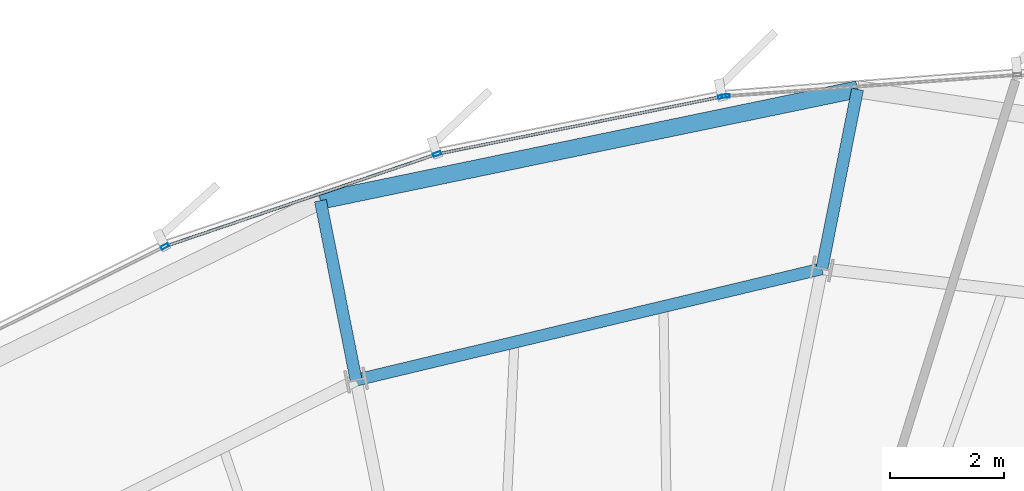
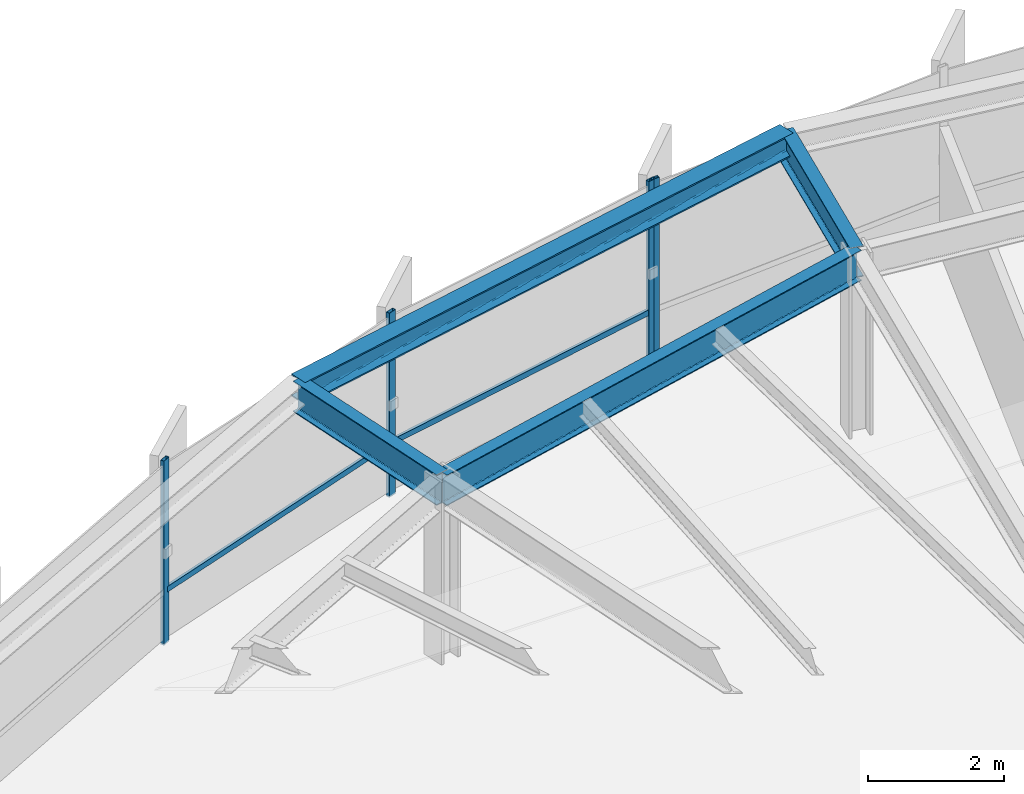
# One storey, part 21 of 32: 6 members, 4 beams, 2 elements without a shape of their own.
"""IFC4 building model written with IfcOpenShell, lengths in metres."""

from ifc_helpers import new_model, si_unit, direction, frame, origin, origin_2d, place, context, subcontext, project, spatial, hollow_rectangle, i_section, extrude, source, transform, mapped, material, layer, layer_set, material_profile, profile_set, type_object, element, aggregate, save


model = new_model("IFC4")

# Units and contexts
model_context = context("Model", 3, precision=1e-05, world=origin(), true_north=direction((0.0, 1.0)))
body_context = subcontext(model_context, "Body", "Model", "MODEL_VIEW")
ifc_project = project(units=[si_unit("LENGTHUNIT", "METRE"), si_unit("AREAUNIT", "SQUARE_METRE"), si_unit("VOLUMEUNIT", "CUBIC_METRE"), si_unit("PLANEANGLEUNIT", "RADIAN"), si_unit("MASSUNIT", "GRAM", prefix="KILO"), si_unit("THERMODYNAMICTEMPERATUREUNIT", "KELVIN")], contexts=[model_context])

# Site, building, storey
site_placement = place(None, origin())
site = spatial("IfcSite", under=ifc_project, at=site_placement, CompositionType="ELEMENT")
building_placement = place(site_placement, origin())
building = spatial("IfcBuilding", under=site, at=building_placement, Name="Kethvar Cultural Tower", CompositionType="ELEMENT")
storey_placement = place(building_placement, frame((0.0, 0.0, 157.199951171875)))
storey = spatial("IfcBuildingStorey", under=building, at=storey_placement, Name="L40", CompositionType="ELEMENT", Elevation=157.199951171875)

# Beams
ifc_material_1 = material(Name="Steel S355J2", Category="steel")
ifc_material_profile_1 = material_profile(ifc_material_1, i_section(OverallWidth=0.2099609375, OverallDepth=0.550048828125, WebThickness=0.010986328125, FlangeThickness=0.01708984375, FilletRadius=0.02392578125, at=origin_2d()), Name="Steel S355J2 — IPE550")
ifc_profile_set_1 = profile_set([ifc_material_profile_1], Name="Steel S355J2 — IPE550")
beam_type_1 = type_object("IfcBeamType", Name="BM-IPE550", PredefinedType="BEAM", material=ifc_profile_set_1)
shared_shape_1 = source(origin(), body_context, "Body", "SweptSolid", [
    extrude(i_section(OverallWidth=0.2099609375, OverallDepth=0.550048828125, WebThickness=0.010986328125, FlangeThickness=0.01708984375, FilletRadius=0.02392578125, at=origin_2d()), origin(), (0.0, 0.0, 1.0), 3.199951171875),
])
for number, where, z_axis, x_axis, name in (
    (1, (51.068603515625, 49.25927734375, 3.02294921875), (0.195088965533, 0.980785550224, 0.0), (-0.980785550224, 0.195088965533, 0.0), "L40 Perimeter Cantilever Beam RC-04"),
    (2, (42.9189453125, 47.311279296875, 3.02294921875), (-0.195088965533, 0.980785550224, 0.0), (-0.980785550224, -0.195088965533, 0.0), "L40 Perimeter Cantilever Beam RC-05"),
):
    element("IfcBeam", number, at=place(storey_placement, frame(where, z_axis=z_axis, x_axis=x_axis)), inside=storey, type_object=beam_type_1, Name=name, PredefinedType="BEAM", context=body_context, shape_type="MappedRepresentation", body=[
        mapped(shared_shape_1, transform((0.0, 0.0, 0.0), scale=1.0)),
    ])
shared_shape_2 = source(origin(), body_context, "Body", "SweptSolid", [
    extrude(i_section(OverallWidth=0.2099609375, OverallDepth=0.550048828125, WebThickness=0.010986328125, FlangeThickness=0.01708984375, FilletRadius=0.02392578125, at=origin_2d()), origin(), (0.0, 0.0, 1.0), 8.379150390625),
])
beam_1_placement = place(storey_placement, frame((51.068603515625, 49.25927734375, 3.02294921875), z_axis=(-0.972601380857, -0.232479147355, 0.0), x_axis=(0.232479147355, -0.972601380857, 0.0)))
element("IfcBeam", 3, at=beam_1_placement, inside=storey, type_object=beam_type_1, Name="L40 Column Ring Tie Beam CR-04", PredefinedType="BEAM", context=body_context, shape_type="MappedRepresentation", body=[
    mapped(shared_shape_2, transform((0.0, 0.0, 0.0), scale=1.0)),
])
ifc_material_profile_2 = material_profile(ifc_material_1, i_section(OverallWidth=0.300048828125, OverallDepth=0.39990234375, WebThickness=0.013427734375, FlangeThickness=0.02392578125, FilletRadius=0.027099609375, at=origin_2d()), Name="Steel S355J2 — HEB400")
ifc_profile_set_2 = profile_set([ifc_material_profile_2], Name="Steel S355J2 — HEB400")
beam_type_2 = type_object("IfcBeamType", Name="BM-SP400", PredefinedType="SPANDREL", material=ifc_profile_set_2)
shared_shape_3 = source(origin(), body_context, "Body", "SweptSolid", [
    extrude(i_section(OverallWidth=0.300048828125, OverallDepth=0.39990234375, WebThickness=0.013427734375, FlangeThickness=0.02392578125, FilletRadius=0.027099609375, at=origin_2d()), origin(), (0.0, 0.0, 1.0), 9.597900390625),
])
beam_2_placement = place(storey_placement, frame((51.69287109375, 52.397705078125, 3.09814453125), z_axis=(-0.979187090725, -0.202959703777, 0.0), x_axis=(0.202959703777, -0.979187090725, 0.0)))
element("IfcBeam", 4, at=beam_2_placement, inside=storey, type_object=beam_type_2, Name="L40 Perimeter Spandrel Beam SP-04", PredefinedType="SPANDREL", context=body_context, shape_type="MappedRepresentation", body=[
    mapped(shared_shape_3, transform((0.0, 0.0, 0.0), scale=1.0)),
])

# Curtain wall, member
ifc_material_2 = material(Name="Aluminium 6063-T6", Category="aluminium")
ifc_layer = layer(ifc_material_2, 0.179931640625, Name="Aluminium 6063-T6", Category="aluminium")
ifc_layer_set = layer_set([ifc_layer], Name="Aluminium 6063-T6 (180 mm)")
curtain_wall_type = type_object("IfcCurtainWallType", Name="CW-SYS-04-Z34", PredefinedType="NOTDEFINED", material=ifc_layer_set)
curtain_wall_1_placement = place(storey_placement, origin())
curtain_wall_1 = element("IfcCurtainWall", 5, at=curtain_wall_1_placement, inside=storey, type_object=curtain_wall_type, Name="L40 Curtain Wall Run 01", PredefinedType="NOTDEFINED")
ifc_material_profile_3 = material_profile(ifc_material_2, hollow_rectangle(XDim=0.06005859375, YDim=0.139892578125, WallThickness=0.0048828125, at=origin_2d()), Name="Aluminium 6063-T6 — RHS140x60x5")
ifc_profile_set_3 = profile_set([ifc_material_profile_3], Name="Aluminium 6063-T6 — RHS140x60x5")
member_type_1 = type_object("IfcMemberType", Name="CW-SYS-04-Z34-MUL", PredefinedType="MULLION", material=ifc_profile_set_3)
shared_shape_4 = source(origin(), body_context, "Body", "SweptSolid", [
    extrude(hollow_rectangle(XDim=0.06005859375, YDim=0.139892578125, WallThickness=0.0048828125, at=origin_2d()), origin(), (0.0, 0.0, 1.0), 3.300048828125),
])
member_1_placement = place(storey_placement, frame((49.38623046875, 52.27978515625, 0.0), z_axis=(0.0, 0.0, 1.0), x_axis=(0.072628958755, -0.997359029813, 0.0)))
member_1 = element("IfcMember", 6, at=member_1_placement, type_object=member_type_1, Name="CW-L40-R01 Mullion 7", PredefinedType="MULLION", context=body_context, shape_type="MappedRepresentation", body=[
    mapped(shared_shape_4, transform((0.0, 0.0, 0.0), scale=1.0)),
])
aggregate(curtain_wall_1, [member_1])

# Curtain wall, members
curtain_wall_2_placement = place(storey_placement, origin())
curtain_wall_2 = element("IfcCurtainWall", 7, at=curtain_wall_2_placement, inside=storey, type_object=curtain_wall_type, Name="L40 Curtain Wall Run 02", PredefinedType="NOTDEFINED")
member_2_placement = place(storey_placement, frame((49.32275390625, 52.271240234375, 0.0), z_axis=(0.0, 0.0, 1.0), x_axis=(0.197742884424, -0.980253922032, 0.0)))
member_2 = element("IfcMember", 8, at=member_2_placement, type_object=member_type_1, Name="CW-L40-R02 Mullion 1", PredefinedType="MULLION", context=body_context, shape_type="MappedRepresentation", body=[
    mapped(shared_shape_4, transform((0.0, 0.0, 0.0), scale=1.0)),
])
member_3_placement = place(storey_placement, frame((44.335205078125, 51.265869140625, 0.0), z_axis=(0.0, 0.0, 1.0), x_axis=(0.321538625832, -0.946896463241, 0.0)))
member_3 = element("IfcMember", 9, at=member_3_placement, type_object=member_type_1, Name="CW-L40-R02 Mullion 2", PredefinedType="MULLION", context=body_context, shape_type="MappedRepresentation", body=[
    mapped(shared_shape_4, transform((0.0, 0.0, 0.0), scale=1.0)),
])
member_4_placement = place(storey_placement, frame((39.573486328125, 49.650146484375, 0.0), z_axis=(0.0, 0.0, 1.0), x_axis=(0.446806872193, -0.894630437086, 0.0)))
member_4 = element("IfcMember", 10, at=member_4_placement, type_object=member_type_1, Name="CW-L40-R02 Mullion 3", PredefinedType="MULLION", context=body_context, shape_type="MappedRepresentation", body=[
    mapped(shared_shape_4, transform((0.0, 0.0, 0.0), scale=1.0)),
])
ifc_material_profile_4 = material_profile(ifc_material_2, hollow_rectangle(XDim=0.050048828125, YDim=0.10009765625, WallThickness=0.00390625, at=origin_2d()), Name="Aluminium 6063-T6 — RHS100x50x4")
ifc_profile_set_4 = profile_set([ifc_material_profile_4], Name="Aluminium 6063-T6 — RHS100x50x4")
member_type_2 = type_object("IfcMemberType", Name="CW-SYS-04-Z34-TRN", PredefinedType="USERDEFINED", material=ifc_profile_set_4)
shared_shape_5 = source(origin(), body_context, "Body", "SweptSolid", [
    extrude(hollow_rectangle(XDim=0.050048828125, YDim=0.10009765625, WallThickness=0.00390625, at=origin_2d()), origin(), (0.0, 0.0, 1.0), 5.054443359375),
])
member_5_placement = place(storey_placement, frame((49.318603515625, 52.270263671875, 0.949951171875), z_axis=(-0.980252341609, -0.197750718762, 0.0), x_axis=(0.197750718762, -0.980252341609, 0.0)))
member_5 = element("IfcMember", 11, at=member_5_placement, type_object=member_type_2, Name="CW-L40-R02 Transom 1", ObjectType="TRANSOM", PredefinedType="USERDEFINED", context=body_context, shape_type="MappedRepresentation", body=[
    mapped(shared_shape_5, transform((0.0, 0.0, 0.0), scale=1.0)),
])
shared_shape_6 = source(origin(), body_context, "Body", "SweptSolid", [
    extrude(hollow_rectangle(XDim=0.050048828125, YDim=0.10009765625, WallThickness=0.00390625, at=origin_2d()), origin(), (0.0, 0.0, 1.0), 4.956787109375),
])
member_6_placement = place(storey_placement, frame((44.29443359375, 51.252197265625, 0.949951171875), z_axis=(-0.946885267292, -0.321571594806, 0.0), x_axis=(0.321571594806, -0.946885267292, 0.0)))
member_6 = element("IfcMember", 12, at=member_6_placement, type_object=member_type_2, Name="CW-L40-R02 Transom 2", ObjectType="TRANSOM", PredefinedType="USERDEFINED", context=body_context, shape_type="MappedRepresentation", body=[
    mapped(shared_shape_6, transform((0.0, 0.0, 0.0), scale=1.0)),
])
aggregate(curtain_wall_2, [member_2, member_3, member_4, member_5, member_6])

save(model, "model.ifc")
